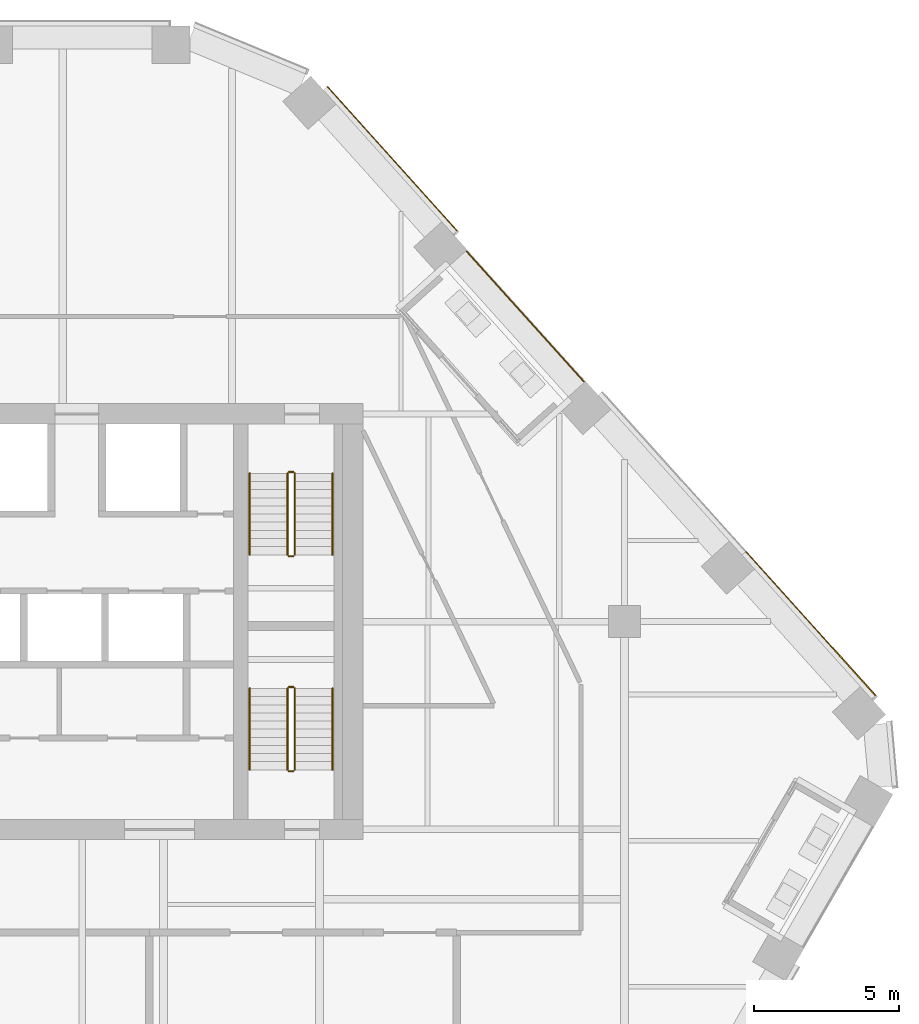
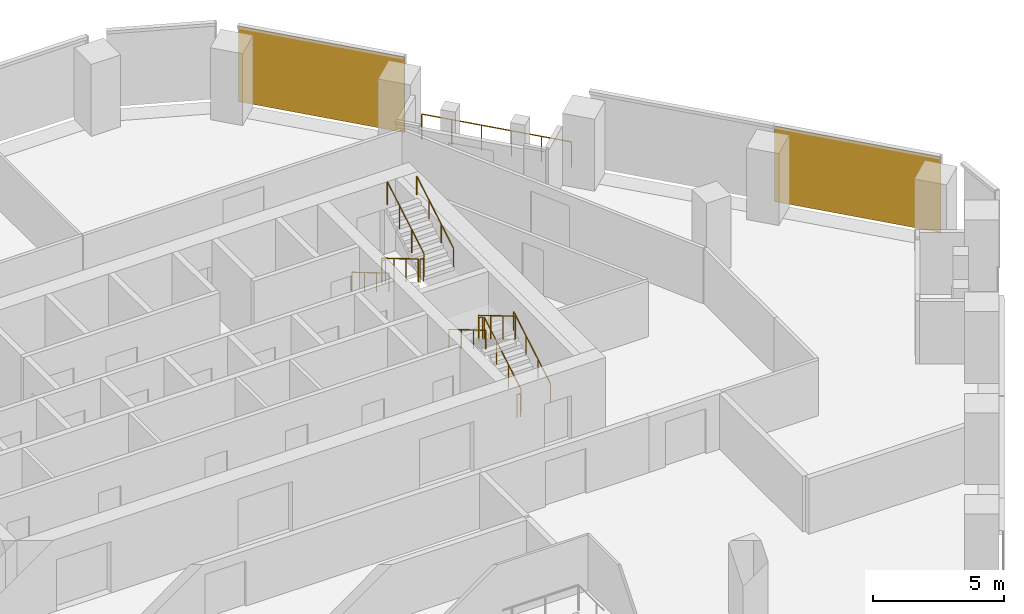
# One storey, part 25 of 26: 13 railings, 2 coverings, 1 element without a shape of its own.
"""IFC4 building model written with IfcOpenShell, lengths in metres."""

from ifc_helpers import new_model, si_unit, direction, frame, origin, origin_2d, place, context, subcontext, project, spatial, rectangle, circle, extrude, material, layer, layer_set, type_object, element, aggregate, save


model = new_model("IFC4")

# Units and contexts
model_context = context("Model", 3, precision=1e-05, world=origin(), true_north=direction((0.0, 1.0)))
body_context = subcontext(model_context, "Body", "Model", "MODEL_VIEW")
ifc_project = project(units=[si_unit("LENGTHUNIT", "METRE"), si_unit("AREAUNIT", "SQUARE_METRE"), si_unit("VOLUMEUNIT", "CUBIC_METRE"), si_unit("PLANEANGLEUNIT", "RADIAN"), si_unit("MASSUNIT", "GRAM", prefix="KILO")], contexts=[model_context])

# Site, building, storey
site_placement = place(None, origin())
site = spatial("IfcSite", under=ifc_project, at=site_placement, CompositionType="ELEMENT")
building_placement = place(site_placement, origin())
building = spatial("IfcBuilding", under=site, at=building_placement, Name="Isthmus Gate Tower", CompositionType="ELEMENT")
storey_placement = place(building_placement, frame((0.0, 0.0, 203.64990234375)))
storey = spatial("IfcBuildingStorey", under=building, at=storey_placement, Name="L51", CompositionType="ELEMENT", Elevation=203.64990234375)

# Curtain wall, coverings
ifc_material_1 = material(Name="Aluminium, pale champagne anodised", Category="aluminium")
ifc_layer_1 = layer(ifc_material_1, 0.199951171875)
ifc_layer_set_1 = layer_set([ifc_layer_1], Name="CW-1 UNITISED CURTAIN WALL 200 DEEP")
curtain_wall_type = type_object("IfcCurtainWallType", Name="CW-1 UNITISED CURTAIN WALL 200 DEEP", PredefinedType="NOTDEFINED", material=ifc_layer_set_1)
curtain_wall_placement = place(storey_placement, origin())
curtain_wall = element("IfcCurtainWall", 1, at=curtain_wall_placement, inside=storey, type_object=curtain_wall_type, Name="CW-1 NE L51", PredefinedType="NOTDEFINED")
ifc_material_2 = material(Name="Aluminium composite panel, pale champagne anodised", Category="aluminium")
ifc_layer_2 = layer(ifc_material_2, 0.035888671875)
ifc_layer_set_2 = layer_set([ifc_layer_2], Name="CW-1 PALE METAL PANEL 36")
covering_type = type_object("IfcCoveringType", Name="CW-1 PALE METAL PANEL 36", PredefinedType="CLADDING", material=ifc_layer_set_2)
covering_1_placement = place(storey_placement, frame((30.408447265625, 7.430908203125, 0.0), z_axis=(0.0, 0.0, 1.0), x_axis=(-0.669130606359, 0.743144825477, 0.0)))
covering_1 = element("IfcCovering", 2, at=covering_1_placement, type_object=covering_type, Name="CW-1 pale metal panel", PredefinedType="CLADDING", context=body_context, shape_type="SweptSolid", body=[
    extrude(rectangle(XDim=6.680908203125, YDim=0.035888671875, at=origin_2d()), origin(), (0.0, 0.0, 1.0), 3.510009765625),
])
covering_2_placement = place(storey_placement, frame((16.007080078125, 23.425048828125, 0.0), z_axis=(0.0, 0.0, 1.0), x_axis=(-0.669130606359, 0.743144825477, 0.0)))
covering_2 = element("IfcCovering", 3, at=covering_2_placement, type_object=covering_type, Name="CW-1 pale metal panel", PredefinedType="CLADDING", context=body_context, shape_type="SweptSolid", body=[
    extrude(rectangle(XDim=6.680908203125, YDim=0.035888671875, at=origin_2d()), origin(), (0.0, 0.0, 1.0), 3.510009765625),
])
aggregate(curtain_wall, [covering_1, covering_2])

# Railings
ifc_material_3 = material(Name="Toughened laminated glass with stainless steel posts", Category="steel")
railing_type_1 = type_object("IfcRailingType", Name="GUARD 1200 FRAMELESS GLASS", PredefinedType="GUARDRAIL", material=ifc_material_3)
railing_1_placement = place(storey_placement, frame((22.59375, 15.76318359375, 0.0)))
element("IfcRailing", 4, at=railing_1_placement, inside=storey, type_object=railing_type_1, Name="LOGGIA GUARD", PredefinedType="GUARDRAIL", context=body_context, shape_type="SweptSolid", body=[
    extrude(circle(Radius=0.02490234375, at=origin_2d()), frame((0.0, 0.0, 1.1748046875), z_axis=(-0.669115066048, 0.743158817742, 0.0), x_axis=(-0.743158817742, -0.669115066048, 0.0)), (0.0, 0.0, 1.0), 6.010986328125),
    extrude(circle(Radius=0.02490234375, at=origin_2d()), origin(), (0.0, 0.0, 1.0), 1.14990234375),
    extrude(circle(Radius=0.02490234375, at=origin_2d()), frame((-0.804443359375, 0.893310546875, 0.0)), (0.0, 0.0, 1.0), 1.14990234375),
    extrude(circle(Radius=0.02490234375, at=origin_2d()), frame((-1.60888671875, 1.786865234375, 0.0)), (0.0, 0.0, 1.0), 1.14990234375),
    extrude(circle(Radius=0.02490234375, at=origin_2d()), frame((-2.4130859375, 2.68017578125, 0.0)), (0.0, 0.0, 1.0), 1.14990234375),
    extrude(circle(Radius=0.02490234375, at=origin_2d()), frame((-3.217529296875, 3.57373046875, 0.0)), (0.0, 0.0, 1.0), 1.14990234375),
    extrude(circle(Radius=0.02490234375, at=origin_2d()), frame((-4.02197265625, 4.467041015625, 0.0)), (0.0, 0.0, 1.0), 1.14990234375),
])
ifc_material_4 = material(Name="Stainless steel balustrade", Category="steel")
railing_type_2 = type_object("IfcRailingType", Name="STAIR GUARD 1100", PredefinedType="GUARDRAIL", material=ifc_material_4)
railing_2_placement = place(storey_placement, frame((12.39990234375, 12.60009765625, 0.166015625)))
element("IfcRailing", 5, at=railing_2_placement, inside=storey, type_object=railing_type_2, Name="L51 ST2 stair guard 1", PredefinedType="GUARDRAIL", context=body_context, shape_type="SweptSolid", body=[
    extrude(circle(Radius=0.02392578125, at=origin_2d()), frame((0.0, 0.0, 1.076171875), z_axis=(0.0, -0.860306154799, 0.50977771628), x_axis=(1.0, 0.0, 0.0)), (0.0, 0.0, 1.0), 3.254638671875),
    extrude(circle(Radius=0.02099609375, at=origin_2d()), origin(), (0.0, 0.0, 1.0), 1.052001953125),
    extrude(circle(Radius=0.02099609375, at=origin_2d()), frame((0.0, -0.933349609375, 0.552978515625)), (0.0, 0.0, 1.0), 1.052001953125),
    extrude(circle(Radius=0.02099609375, at=origin_2d()), frame((0.0, -1.86669921875, 1.106201171875)), (0.0, 0.0, 1.0), 1.052001953125),
    extrude(circle(Radius=0.02099609375, at=origin_2d()), frame((0.0, -2.800048828125, 1.6591796875)), (0.0, 0.0, 1.0), 1.052001953125),
])
railing_3_placement = place(storey_placement, frame((12.449951171875, 9.75, 1.8251953125)))
element("IfcRailing", 6, at=railing_3_placement, inside=storey, type_object=railing_type_2, Name="L51 ST2 stair guard 2", PredefinedType="GUARDRAIL", context=body_context, shape_type="SweptSolid", body=[
    extrude(circle(Radius=0.02392578125, at=origin_2d()), frame((0.0, 0.0, 1.076171875), z_axis=(1.0, 0.0, 0.0), x_axis=(0.0, 1.0, 0.0)), (0.0, 0.0, 1.0), 0.150146484375),
    extrude(circle(Radius=0.02099609375, at=origin_2d()), origin(), (0.0, 0.0, 1.0), 1.052001953125),
    extrude(circle(Radius=0.02099609375, at=origin_2d()), frame((0.150146484375, 0.0, 0.0)), (0.0, 0.0, 1.0), 1.052001953125),
])
railing_4_placement = place(storey_placement, frame((12.64990234375, 9.800048828125, 1.990966796875)))
element("IfcRailing", 7, at=railing_4_placement, inside=storey, type_object=railing_type_2, Name="L51 ST2 stair guard 3", PredefinedType="GUARDRAIL", context=body_context, shape_type="SweptSolid", body=[
    extrude(circle(Radius=0.02392578125, at=origin_2d()), frame((0.0, 0.0, 1.076171875), z_axis=(0.0, 0.860306154799, 0.50977771628), x_axis=(-1.0, 0.0, 0.0)), (0.0, 0.0, 1.0), 3.254638671875),
    extrude(circle(Radius=0.02099609375, at=origin_2d()), origin(), (0.0, 0.0, 1.0), 1.052001953125),
    extrude(circle(Radius=0.02099609375, at=origin_2d()), frame((0.0, 0.933349609375, 0.552978515625)), (0.0, 0.0, 1.0), 1.052001953125),
    extrude(circle(Radius=0.02099609375, at=origin_2d()), frame((0.0, 1.86669921875, 1.106201171875)), (0.0, 0.0, 1.0), 1.052001953125),
    extrude(circle(Radius=0.02099609375, at=origin_2d()), frame((0.0, 2.800048828125, 1.6591796875)), (0.0, 0.0, 1.0), 1.052001953125),
])
railing_5_placement = place(storey_placement, frame((12.449951171875, 12.64990234375, 0.0)))
element("IfcRailing", 8, at=railing_5_placement, inside=storey, type_object=railing_type_2, Name="L51 ST2 stair guard 4", PredefinedType="GUARDRAIL", context=body_context, shape_type="SweptSolid", body=[
    extrude(circle(Radius=0.02392578125, at=origin_2d()), frame((0.0, 0.0, 1.076171875), z_axis=(1.0, 0.0, 0.0), x_axis=(0.0, 1.0, 0.0)), (0.0, 0.0, 1.0), 0.150146484375),
    extrude(circle(Radius=0.02099609375, at=origin_2d()), origin(), (0.0, 0.0, 1.0), 1.052001953125),
    extrude(circle(Radius=0.02099609375, at=origin_2d()), frame((0.150146484375, 0.0, 0.0)), (0.0, 0.0, 1.0), 1.052001953125),
])
railing_6_placement = place(storey_placement, frame((12.64990234375, 2.39990234375, 0.166015625)))
element("IfcRailing", 9, at=railing_6_placement, inside=storey, type_object=railing_type_2, Name="L51 ST8 stair guard 1", PredefinedType="GUARDRAIL", context=body_context, shape_type="SweptSolid", body=[
    extrude(circle(Radius=0.02392578125, at=origin_2d()), frame((0.0, 0.0, 1.076171875), z_axis=(0.0, 0.860306154799, 0.50977771628), x_axis=(-1.0, 0.0, 0.0)), (0.0, 0.0, 1.0), 3.254638671875),
    extrude(circle(Radius=0.02099609375, at=origin_2d()), origin(), (0.0, 0.0, 1.0), 1.052001953125),
    extrude(circle(Radius=0.02099609375, at=origin_2d()), frame((0.0, 0.933349609375, 0.552978515625)), (0.0, 0.0, 1.0), 1.052001953125),
    extrude(circle(Radius=0.02099609375, at=origin_2d()), frame((0.0, 1.86669921875, 1.106201171875)), (0.0, 0.0, 1.0), 1.052001953125),
    extrude(circle(Radius=0.02099609375, at=origin_2d()), frame((0.0, 2.800048828125, 1.6591796875)), (0.0, 0.0, 1.0), 1.052001953125),
])
railing_7_placement = place(storey_placement, frame((12.60009765625, 5.25, 1.8251953125)))
element("IfcRailing", 10, at=railing_7_placement, inside=storey, type_object=railing_type_2, Name="L51 ST8 stair guard 2", PredefinedType="GUARDRAIL", context=body_context, shape_type="SweptSolid", body=[
    extrude(circle(Radius=0.02392578125, at=origin_2d()), frame((0.0, 0.0, 1.076171875), z_axis=(-1.0, 0.0, 0.0), x_axis=(0.0, -1.0, 0.0)), (0.0, 0.0, 1.0), 0.150146484375),
    extrude(circle(Radius=0.02099609375, at=origin_2d()), origin(), (0.0, 0.0, 1.0), 1.052001953125),
    extrude(circle(Radius=0.02099609375, at=origin_2d()), frame((-0.150146484375, 0.0, 0.0)), (0.0, 0.0, 1.0), 1.052001953125),
])
railing_8_placement = place(storey_placement, frame((12.39990234375, 5.199951171875, 1.990966796875)))
element("IfcRailing", 11, at=railing_8_placement, inside=storey, type_object=railing_type_2, Name="L51 ST8 stair guard 3", PredefinedType="GUARDRAIL", context=body_context, shape_type="SweptSolid", body=[
    extrude(circle(Radius=0.02392578125, at=origin_2d()), frame((0.0, 0.0, 1.076171875), z_axis=(0.0, -0.860306154799, 0.50977771628), x_axis=(1.0, 0.0, 0.0)), (0.0, 0.0, 1.0), 3.254638671875),
    extrude(circle(Radius=0.02099609375, at=origin_2d()), origin(), (0.0, 0.0, 1.0), 1.052001953125),
    extrude(circle(Radius=0.02099609375, at=origin_2d()), frame((0.0, -0.933349609375, 0.552978515625)), (0.0, 0.0, 1.0), 1.052001953125),
    extrude(circle(Radius=0.02099609375, at=origin_2d()), frame((0.0, -1.86669921875, 1.106201171875)), (0.0, 0.0, 1.0), 1.052001953125),
    extrude(circle(Radius=0.02099609375, at=origin_2d()), frame((0.0, -2.800048828125, 1.6591796875)), (0.0, 0.0, 1.0), 1.052001953125),
])
railing_9_placement = place(storey_placement, frame((12.60009765625, 2.35009765625, 0.0)))
element("IfcRailing", 12, at=railing_9_placement, inside=storey, type_object=railing_type_2, Name="L51 ST8 stair guard 4", PredefinedType="GUARDRAIL", context=body_context, shape_type="SweptSolid", body=[
    extrude(circle(Radius=0.02392578125, at=origin_2d()), frame((0.0, 0.0, 1.076171875), z_axis=(-1.0, 0.0, 0.0), x_axis=(0.0, -1.0, 0.0)), (0.0, 0.0, 1.0), 0.150146484375),
    extrude(circle(Radius=0.02099609375, at=origin_2d()), origin(), (0.0, 0.0, 1.0), 1.052001953125),
    extrude(circle(Radius=0.02099609375, at=origin_2d()), frame((-0.150146484375, 0.0, 0.0)), (0.0, 0.0, 1.0), 1.052001953125),
])
ifc_material_5 = material(Name="Stainless steel handrail", Category="steel")
railing_type_3 = type_object("IfcRailingType", Name="STAIR HANDRAIL 900", PredefinedType="HANDRAIL", material=ifc_material_5)
railing_10_placement = place(storey_placement, frame((11.10009765625, 12.60009765625, 0.166015625)))
element("IfcRailing", 13, at=railing_10_placement, inside=storey, type_object=railing_type_3, Name="L51 ST2 stair handrail 1", PredefinedType="HANDRAIL", context=body_context, shape_type="SweptSolid", body=[
    extrude(circle(Radius=0.02392578125, at=origin_2d()), frame((0.0, 0.0, 0.8759765625), z_axis=(0.0, -0.860306154799, 0.50977771628), x_axis=(1.0, 0.0, 0.0)), (0.0, 0.0, 1.0), 3.254638671875),
    extrude(circle(Radius=0.02099609375, at=origin_2d()), origin(), (0.0, 0.0, 1.0), 0.851806640625),
    extrude(circle(Radius=0.02099609375, at=origin_2d()), frame((0.0, -0.933349609375, 0.552978515625)), (0.0, 0.0, 1.0), 0.851806640625),
    extrude(circle(Radius=0.02099609375, at=origin_2d()), frame((0.0, -1.86669921875, 1.106201171875)), (0.0, 0.0, 1.0), 0.851806640625),
    extrude(circle(Radius=0.02099609375, at=origin_2d()), frame((0.0, -2.800048828125, 1.6591796875)), (0.0, 0.0, 1.0), 0.851806640625),
])
for number, where, name in (
    (14, (13.949951171875, 9.800048828125, 1.990966796875), "L51 ST2 stair handrail 2"),
    (15, (13.949951171875, 2.39990234375, 0.166015625), "L51 ST8 stair handrail 1"),
):
    element("IfcRailing", number, at=place(storey_placement, frame(where)), inside=storey, type_object=railing_type_3, Name=name, PredefinedType="HANDRAIL", context=body_context, shape_type="SweptSolid", body=[
        extrude(circle(Radius=0.02392578125, at=origin_2d()), frame((0.0, 0.0, 0.8759765625), z_axis=(0.0, 0.860306154799, 0.50977771628), x_axis=(-1.0, 0.0, 0.0)), (0.0, 0.0, 1.0), 3.254638671875),
        extrude(circle(Radius=0.02099609375, at=origin_2d()), origin(), (0.0, 0.0, 1.0), 0.851806640625),
        extrude(circle(Radius=0.02099609375, at=origin_2d()), frame((0.0, 0.933349609375, 0.552978515625)), (0.0, 0.0, 1.0), 0.851806640625),
        extrude(circle(Radius=0.02099609375, at=origin_2d()), frame((0.0, 1.86669921875, 1.106201171875)), (0.0, 0.0, 1.0), 0.851806640625),
        extrude(circle(Radius=0.02099609375, at=origin_2d()), frame((0.0, 2.800048828125, 1.6591796875)), (0.0, 0.0, 1.0), 0.851806640625),
    ])
railing_11_placement = place(storey_placement, frame((11.10009765625, 5.199951171875, 1.990966796875)))
element("IfcRailing", 16, at=railing_11_placement, inside=storey, type_object=railing_type_3, Name="L51 ST8 stair handrail 2", PredefinedType="HANDRAIL", context=body_context, shape_type="SweptSolid", body=[
    extrude(circle(Radius=0.02392578125, at=origin_2d()), frame((0.0, 0.0, 0.8759765625), z_axis=(0.0, -0.860306154799, 0.50977771628), x_axis=(1.0, 0.0, 0.0)), (0.0, 0.0, 1.0), 3.254638671875),
    extrude(circle(Radius=0.02099609375, at=origin_2d()), origin(), (0.0, 0.0, 1.0), 0.851806640625),
    extrude(circle(Radius=0.02099609375, at=origin_2d()), frame((0.0, -0.933349609375, 0.552978515625)), (0.0, 0.0, 1.0), 0.851806640625),
    extrude(circle(Radius=0.02099609375, at=origin_2d()), frame((0.0, -1.86669921875, 1.106201171875)), (0.0, 0.0, 1.0), 0.851806640625),
    extrude(circle(Radius=0.02099609375, at=origin_2d()), frame((0.0, -2.800048828125, 1.6591796875)), (0.0, 0.0, 1.0), 0.851806640625),
])

save(model, "model.ifc")
